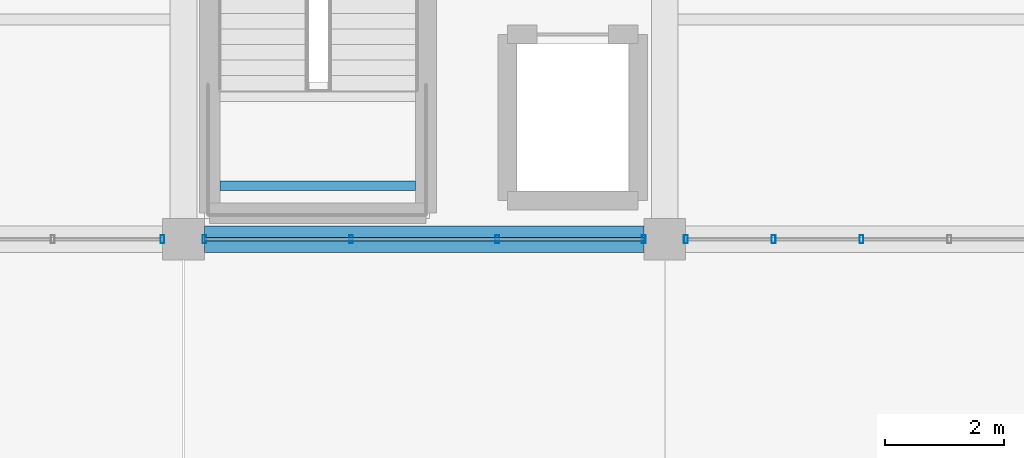
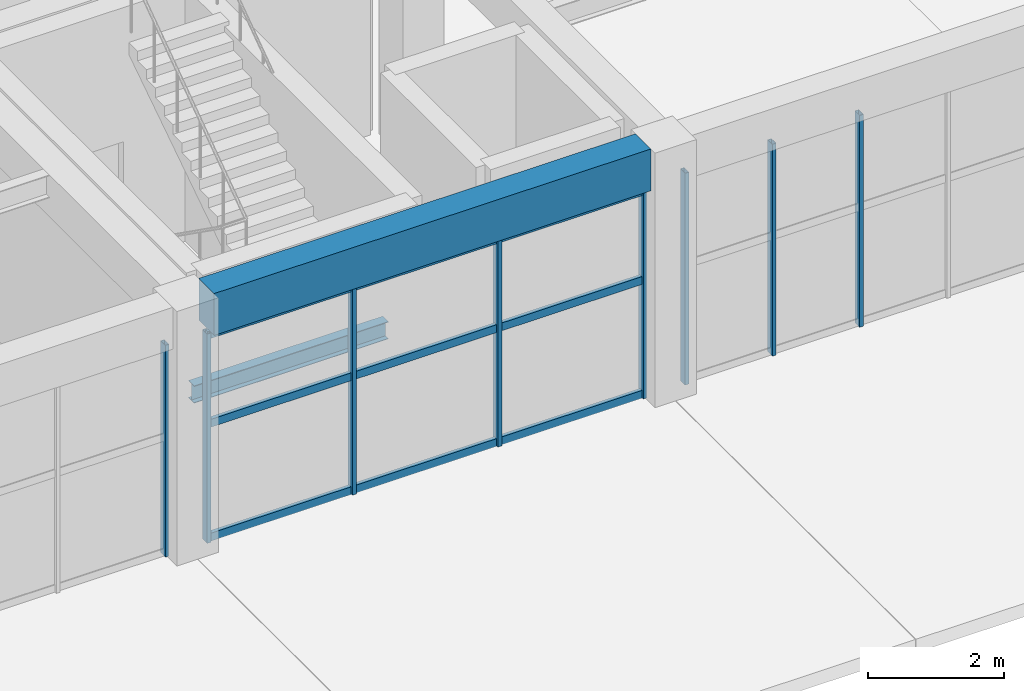
# One storey, part 6 of 161: 11 members, 2 beams, 3 elements without a shape of their own.
"""IFC4 building model written with IfcOpenShell, lengths in metres."""

from ifc_helpers import new_model, si_unit, direction, frame, origin, origin_2d, place, context, subcontext, project, spatial, rectangle, hollow_rectangle, i_section, extrude, material, material_profile, profile_set, type_object, element, aggregate, save


model = new_model("IFC4")

# Units and contexts
model_context = context("Model", 3, precision=1e-05, world=origin(), true_north=direction((0.0, 1.0)))
body_context = subcontext(model_context, "Body", "Model", "MODEL_VIEW")
ifc_project = project(units=[si_unit("LENGTHUNIT", "METRE"), si_unit("AREAUNIT", "SQUARE_METRE"), si_unit("VOLUMEUNIT", "CUBIC_METRE"), si_unit("PLANEANGLEUNIT", "RADIAN"), si_unit("MASSUNIT", "GRAM", prefix="KILO")], contexts=[model_context])

# Site, building, storey
site_placement = place(None, origin())
site = spatial("IfcSite", under=ifc_project, at=site_placement, CompositionType="ELEMENT")
building_placement = place(site_placement, origin())
building = spatial("IfcBuilding", under=site, at=building_placement, Name="Cimatlan Art Gallery", CompositionType="ELEMENT")
storey_placement = place(building_placement, frame((0.0, 0.0, 5.39990234375)))
storey = spatial("IfcBuildingStorey", under=building, at=storey_placement, Name="L01", CompositionType="ELEMENT", Elevation=5.39990234375)

# Beams
ifc_material_1 = material(Name="Concrete C40/50", Category="concrete")
ifc_material_profile_1 = material_profile(ifc_material_1, rectangle(XDim=0.449951171875, YDim=0.75, at=origin_2d()), Name="RC450X750")
ifc_profile_set_1 = profile_set([ifc_material_profile_1], Name="Concrete C40/50")
beam_type_1 = type_object("IfcBeamType", Name="BM-RC-450X750", PredefinedType="BEAM", material=ifc_profile_set_1)
beam_1_placement = place(storey_placement, frame((34.75, 23.89990234375, 4.18505859375), z_axis=(1.0, 0.0, 0.0), x_axis=(0.0, 1.0, 0.0)))
element("IfcBeam", 1, at=beam_1_placement, inside=storey, type_object=beam_type_1, Name="BM-X-L01-04-03", PredefinedType="BEAM", context=body_context, shape_type="SweptSolid", body=[
    extrude(rectangle(XDim=0.449951171875, YDim=0.75, at=origin_2d()), origin(), (0.0, 0.0, 1.0), 7.39990234375),
])
ifc_material_2 = material(Name="Steel ASTM A992 Grade 50", Category="steel")
ifc_material_profile_2 = material_profile(ifc_material_2, i_section(OverallWidth=0.1650390625, OverallDepth=0.31005859375, WebThickness=0.005859375, FlangeThickness=0.009765625, at=origin_2d()), Name="W12X26")
ifc_profile_set_2 = profile_set([ifc_material_profile_2], Name="Steel ASTM A992 Grade 50")
beam_type_2 = type_object("IfcBeamType", Name="BM-STL-W12X26", PredefinedType="JOIST", material=ifc_profile_set_2)
beam_2_placement = place(storey_placement, frame((35.014892578125, 24.800048828125, 2.025146484375), z_axis=(1.0, 0.0, 0.0), x_axis=(0.0, 1.0, 0.0)))
element("IfcBeam", 2, at=beam_2_placement, inside=storey, type_object=beam_type_2, Name="BM-STR-C2-L01-LH1", PredefinedType="JOIST", context=body_context, shape_type="SweptSolid", body=[
    extrude(i_section(OverallWidth=0.1650390625, OverallDepth=0.31005859375, WebThickness=0.005859375, FlangeThickness=0.009765625, at=origin_2d()), origin(), (0.0, 0.0, 1.0), 3.2900390625),
])

# Curtain wall, member
ifc_material_3 = material(Name="Anodised bronze unitised curtain wall")
curtain_wall_type_1 = type_object("IfcCurtainWallType", Name="CW-V-07392X03795-B4", PredefinedType="NOTDEFINED", material=ifc_material_3)
curtain_wall_1_placement = place(storey_placement, origin())
curtain_wall_1 = element("IfcCurtainWall", 3, at=curtain_wall_1_placement, inside=storey, type_object=curtain_wall_type_1, Name="CW-L01-03-03-S", PredefinedType="NOTDEFINED")
ifc_material_4 = material(Name="Anodised bronze aluminium 6063-T6", Category="aluminium")
ifc_material_profile_3 = material_profile(ifc_material_4, hollow_rectangle(XDim=0.06494140625, YDim=0.139892578125, WallThickness=0.00390625, at=origin_2d()), Name="ALU65X140X4")
ifc_profile_set_3 = profile_set([ifc_material_profile_3], Name="Anodised bronze aluminium 6063-T6")
member_type_1 = type_object("IfcMemberType", Name="CW-MUL-140", PredefinedType="MULLION", material=ifc_profile_set_3)
member_1_placement = place(storey_placement, frame((34.0458984375, 23.89990234375, 0.0), z_axis=(0.0, 0.0, 1.0), x_axis=(1.0, 0.0, 0.0)))
member_1 = element("IfcMember", 4, at=member_1_placement, type_object=member_type_1, Name="CW-L01-03-03-S-M1", PredefinedType="MULLION", context=body_context, shape_type="SweptSolid", body=[
    extrude(hollow_rectangle(XDim=0.06494140625, YDim=0.139892578125, WallThickness=0.00390625, at=origin_2d()), origin(), (0.0, 0.0, 1.0), 3.795166015625),
])
aggregate(curtain_wall_1, [member_1])

# Curtain wall, members
curtain_wall_type_2 = type_object("IfcCurtainWallType", Name="CW-V-07392X03750-B3", PredefinedType="NOTDEFINED", material=ifc_material_3)
curtain_wall_2_placement = place(storey_placement, origin())
curtain_wall_2 = element("IfcCurtainWall", 5, at=curtain_wall_2_placement, inside=storey, type_object=curtain_wall_type_2, Name="CW-L01-04-03-S", PredefinedType="NOTDEFINED")
member_2_placement = place(storey_placement, frame((42.14599609375, 23.89990234375, 0.0), z_axis=(0.0, 0.0, 1.0), x_axis=(1.0, 0.0, 0.0)))
member_2 = element("IfcMember", 6, at=member_2_placement, type_object=member_type_1, Name="CW-L01-04-03-S-M1", PredefinedType="MULLION", context=body_context, shape_type="SweptSolid", body=[
    extrude(hollow_rectangle(XDim=0.06494140625, YDim=0.139892578125, WallThickness=0.00390625, at=origin_2d()), origin(), (0.0, 0.0, 1.0), 3.75),
])
member_3_placement = place(storey_placement, frame((39.681884765625, 23.89990234375, 0.0), z_axis=(0.0, 0.0, 1.0), x_axis=(1.0, 0.0, 0.0)))
member_3 = element("IfcMember", 7, at=member_3_placement, type_object=member_type_1, Name="CW-L01-04-03-S-M2", PredefinedType="MULLION", context=body_context, shape_type="SweptSolid", body=[
    extrude(hollow_rectangle(XDim=0.06494140625, YDim=0.139892578125, WallThickness=0.00390625, at=origin_2d()), origin(), (0.0, 0.0, 1.0), 3.75),
])
member_4_placement = place(storey_placement, frame((37.218017578125, 23.89990234375, 0.0), z_axis=(0.0, 0.0, 1.0), x_axis=(1.0, 0.0, 0.0)))
member_4 = element("IfcMember", 8, at=member_4_placement, type_object=member_type_1, Name="CW-L01-04-03-S-M3", PredefinedType="MULLION", context=body_context, shape_type="SweptSolid", body=[
    extrude(hollow_rectangle(XDim=0.06494140625, YDim=0.139892578125, WallThickness=0.00390625, at=origin_2d()), origin(), (0.0, 0.0, 1.0), 3.75),
])
member_5_placement = place(storey_placement, frame((34.75390625, 23.89990234375, 0.0), z_axis=(0.0, 0.0, 1.0), x_axis=(1.0, 0.0, 0.0)))
member_5 = element("IfcMember", 9, at=member_5_placement, type_object=member_type_1, Name="CW-L01-04-03-S-M4", PredefinedType="MULLION", context=body_context, shape_type="SweptSolid", body=[
    extrude(hollow_rectangle(XDim=0.06494140625, YDim=0.139892578125, WallThickness=0.00390625, at=origin_2d()), origin(), (0.0, 0.0, 1.0), 3.75),
])

curtain_wall_type_3 = type_object("IfcCurtainWallType", Name="CW-V-07392X03795-B5", PredefinedType="NOTDEFINED", material=ifc_material_3)
curtain_wall_3_placement = place(storey_placement, origin())
curtain_wall_3 = element("IfcCurtainWall", 10, at=curtain_wall_3_placement, inside=storey, type_object=curtain_wall_type_3, Name="CW-L01-05-03-S", PredefinedType="NOTDEFINED")
member_6_placement = place(storey_placement, frame((45.810791015625, 23.89990234375, 0.0), z_axis=(0.0, 0.0, 1.0), x_axis=(1.0, 0.0, 0.0)))
member_6 = element("IfcMember", 11, at=member_6_placement, type_object=member_type_1, Name="CW-L01-05-03-S-M4", PredefinedType="MULLION", context=body_context, shape_type="SweptSolid", body=[
    extrude(hollow_rectangle(XDim=0.06494140625, YDim=0.139892578125, WallThickness=0.00390625, at=origin_2d()), origin(), (0.0, 0.0, 1.0), 3.795166015625),
])
member_7_placement = place(storey_placement, frame((44.33251953125, 23.89990234375, 0.0), z_axis=(0.0, 0.0, 1.0), x_axis=(1.0, 0.0, 0.0)))
member_7 = element("IfcMember", 12, at=member_7_placement, type_object=member_type_1, Name="CW-L01-05-03-S-M5", PredefinedType="MULLION", context=body_context, shape_type="SweptSolid", body=[
    extrude(hollow_rectangle(XDim=0.06494140625, YDim=0.139892578125, WallThickness=0.00390625, at=origin_2d()), origin(), (0.0, 0.0, 1.0), 3.795166015625),
])
member_8_placement = place(storey_placement, frame((42.85400390625, 23.89990234375, 0.0), z_axis=(0.0, 0.0, 1.0), x_axis=(1.0, 0.0, 0.0)))
member_8 = element("IfcMember", 13, at=member_8_placement, type_object=member_type_1, Name="CW-L01-05-03-S-M6", PredefinedType="MULLION", context=body_context, shape_type="SweptSolid", body=[
    extrude(hollow_rectangle(XDim=0.06494140625, YDim=0.139892578125, WallThickness=0.00390625, at=origin_2d()), origin(), (0.0, 0.0, 1.0), 3.795166015625),
])
aggregate(curtain_wall_3, [member_6, member_7, member_8])

# Member
ifc_material_profile_4 = material_profile(ifc_material_4, hollow_rectangle(XDim=0.06494140625, YDim=0.139892578125, WallThickness=0.00390625, at=origin_2d()), Name="ALU65X140X4")
ifc_profile_set_4 = profile_set([ifc_material_profile_4], Name="Anodised bronze aluminium 6063-T6")
member_type_2 = type_object("IfcMemberType", Name="CW-TRN-140", PredefinedType="USERDEFINED", material=ifc_profile_set_4)
member_9_placement = place(storey_placement, frame((42.14599609375, 23.89990234375, 0.06005859375), z_axis=(-1.0, 0.0, 0.0), x_axis=(0.0, -1.0, 0.0)))
member_9 = element("IfcMember", 14, at=member_9_placement, type_object=member_type_2, Name="CW-L01-04-03-S-T1", ObjectType="TRANSOM", PredefinedType="USERDEFINED", context=body_context, shape_type="SweptSolid", body=[
    extrude(hollow_rectangle(XDim=0.06494140625, YDim=0.139892578125, WallThickness=0.00390625, at=origin_2d()), origin(), (0.0, 0.0, 1.0), 7.39208984375),
])

member_10_placement = place(storey_placement, frame((42.14599609375, 23.89990234375, 2.10009765625), z_axis=(-1.0, 0.0, 0.0), x_axis=(0.0, -1.0, 0.0)))
member_10 = element("IfcMember", 15, at=member_10_placement, type_object=member_type_2, Name="CW-L01-04-03-S-T2", ObjectType="TRANSOM", PredefinedType="USERDEFINED", context=body_context, shape_type="SweptSolid", body=[
    extrude(hollow_rectangle(XDim=0.06494140625, YDim=0.139892578125, WallThickness=0.00390625, at=origin_2d()), origin(), (0.0, 0.0, 1.0), 7.39208984375),
])

member_11_placement = place(storey_placement, frame((42.14599609375, 23.89990234375, 3.690185546875), z_axis=(-1.0, 0.0, 0.0), x_axis=(0.0, -1.0, 0.0)))
member_11 = element("IfcMember", 16, at=member_11_placement, type_object=member_type_2, Name="CW-L01-04-03-S-T3", ObjectType="TRANSOM", PredefinedType="USERDEFINED", context=body_context, shape_type="SweptSolid", body=[
    extrude(hollow_rectangle(XDim=0.06494140625, YDim=0.139892578125, WallThickness=0.00390625, at=origin_2d()), origin(), (0.0, 0.0, 1.0), 7.39208984375),
])

aggregate(curtain_wall_2, [member_2, member_3, member_4, member_5, member_9, member_10, member_11])

save(model, "model.ifc")
